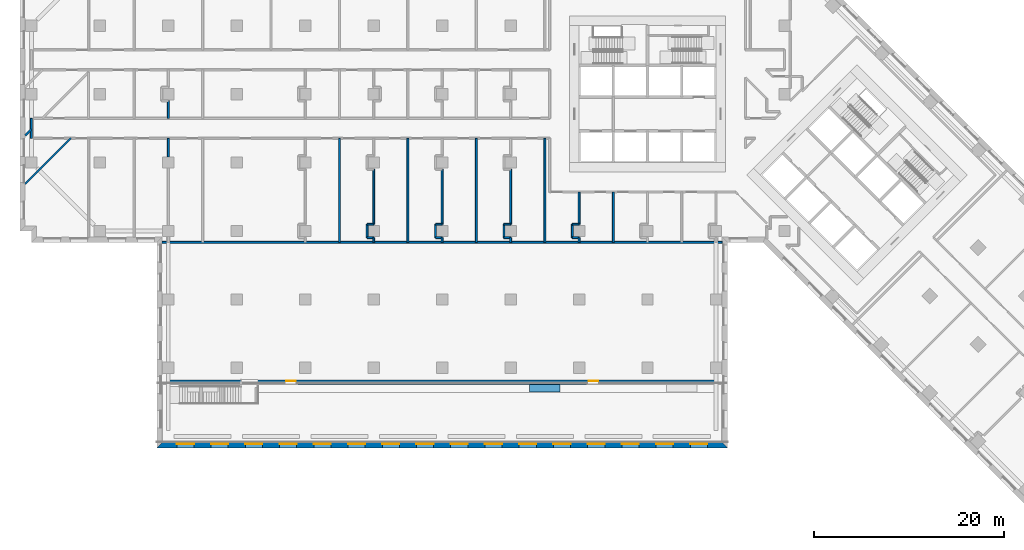
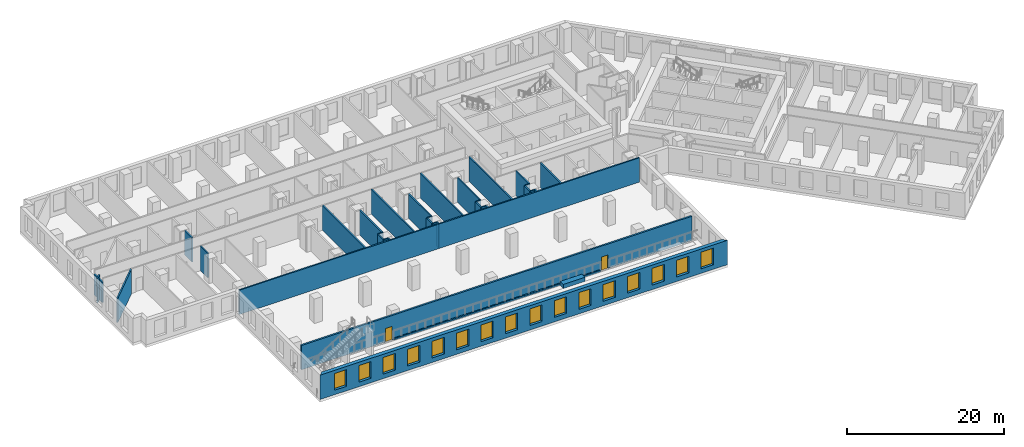
# One storey, part 3 of 14: 35 walls, 16 windows, 2 doors, 18 openings.
"""IFC4 building model written with IfcOpenShell, lengths in metres."""

from ifc_helpers import new_model, si_unit, direction, frame, frame_2d, origin, place, context, subcontext, project, spatial, polyline, rectangle, outline, extrude, material, layer, layer_set, type_object, element, fill, save


model = new_model("IFC4")

# Units and contexts
model_context = context("Model", 3, precision=1e-05, world=origin(), true_north=direction((0.0, 1.0)))
body_context = subcontext(model_context, "Body", "Model", "MODEL_VIEW")
ifc_project = project(units=[si_unit("LENGTHUNIT", "METRE"), si_unit("AREAUNIT", "SQUARE_METRE"), si_unit("VOLUMEUNIT", "CUBIC_METRE"), si_unit("PLANEANGLEUNIT", "RADIAN"), si_unit("MASSUNIT", "GRAM", prefix="KILO")], contexts=[model_context])

# Site, building, storey
site_placement = place(None, origin())
site = spatial("IfcSite", under=ifc_project, at=site_placement, CompositionType="ELEMENT")
building_placement = place(site_placement, origin())
building = spatial("IfcBuilding", under=site, at=building_placement, Name="Windrow Commons", CompositionType="ELEMENT")
storey_placement = place(building_placement, frame((0.0, 0.0, 10.2)))
storey = spatial("IfcBuildingStorey", under=building, at=storey_placement, Name="L02", CompositionType="ELEMENT", Elevation=10.2)

# Wall, openings, windows
ifc_material_1 = material(Name="Brick masonry, red clay brick", Category="masonry")
ifc_layer_1 = layer(ifc_material_1, 0.55)
ifc_layer_set_1 = layer_set([ifc_layer_1], Name="Brick facade wall 550")
wall_type_1 = type_object("IfcWallType", Name="Brick facade wall 550", PredefinedType="SOLIDWALL", material=ifc_layer_set_1)
wall_1_placement = place(storey_placement, frame((13.475, 20.675, 0.0), z_axis=(0.0, 0.0, 1.0), x_axis=(1.0, 0.0, 0.0)))
wall_1 = element("IfcWall", 1, at=wall_1_placement, inside=storey, type_object=wall_type_1, Name="Brick facade wall L02 13", PredefinedType="SOLIDWALL", context=body_context, shape_type="SweptSolid", body=[
    extrude(outline(polyline([(-0.275, -0.275), (59.725, -0.275), (59.175, 0.275), (0.275, 0.275), (-0.275, -0.275)])), origin(), (0.0, 0.0, 1.0), 3.8),
])
opening_1_placement = place(wall_1_placement, frame((1.825, 0.0, 0.7)))
opening_1 = element("IfcOpeningElement", 2, at=opening_1_placement, cuts=wall_1, Name="Opening W2", PredefinedType="OPENING", context=body_context, shape_type="SweptSolid", body=[
    extrude(rectangle(XDim=1.8, YDim=2.6, at=frame_2d((0.9, 1.3))), frame((0.0, 0.285, 0.0), z_axis=(0.0, -1.0, 0.0), x_axis=(1.0, 0.0, 0.0)), (0.0, 0.0, 1.0), 0.57),
])
opening_2_placement = place(wall_1_placement, frame((5.425, 0.0, 0.7)))
opening_2 = element("IfcOpeningElement", 3, at=opening_2_placement, cuts=wall_1, Name="Opening W2", PredefinedType="OPENING", context=body_context, shape_type="SweptSolid", body=[
    extrude(rectangle(XDim=1.8, YDim=2.6, at=frame_2d((0.9, 1.3))), frame((0.0, 0.285, 0.0), z_axis=(0.0, -1.0, 0.0), x_axis=(1.0, 0.0, 0.0)), (0.0, 0.0, 1.0), 0.57),
])
opening_3_placement = place(wall_1_placement, frame((9.025, 0.0, 0.7)))
opening_3 = element("IfcOpeningElement", 4, at=opening_3_placement, cuts=wall_1, Name="Opening W2", PredefinedType="OPENING", context=body_context, shape_type="SweptSolid", body=[
    extrude(rectangle(XDim=1.8, YDim=2.6, at=frame_2d((0.9, 1.3))), frame((0.0, 0.285, 0.0), z_axis=(0.0, -1.0, 0.0), x_axis=(1.0, 0.0, 0.0)), (0.0, 0.0, 1.0), 0.57),
])
opening_4_placement = place(wall_1_placement, frame((12.625, 0.0, 0.7)))
opening_4 = element("IfcOpeningElement", 5, at=opening_4_placement, cuts=wall_1, Name="Opening W2", PredefinedType="OPENING", context=body_context, shape_type="SweptSolid", body=[
    extrude(rectangle(XDim=1.8, YDim=2.6, at=frame_2d((0.9, 1.3))), frame((0.0, 0.285, 0.0), z_axis=(0.0, -1.0, 0.0), x_axis=(1.0, 0.0, 0.0)), (0.0, 0.0, 1.0), 0.57),
])
opening_5_placement = place(wall_1_placement, frame((16.225, 0.0, 0.7)))
opening_5 = element("IfcOpeningElement", 6, at=opening_5_placement, cuts=wall_1, Name="Opening W2", PredefinedType="OPENING", context=body_context, shape_type="SweptSolid", body=[
    extrude(rectangle(XDim=1.8, YDim=2.6, at=frame_2d((0.9, 1.3))), frame((0.0, 0.285, 0.0), z_axis=(0.0, -1.0, 0.0), x_axis=(1.0, 0.0, 0.0)), (0.0, 0.0, 1.0), 0.57),
])
opening_6_placement = place(wall_1_placement, frame((19.825, 0.0, 0.7)))
opening_6 = element("IfcOpeningElement", 7, at=opening_6_placement, cuts=wall_1, Name="Opening W2", PredefinedType="OPENING", context=body_context, shape_type="SweptSolid", body=[
    extrude(rectangle(XDim=1.8, YDim=2.6, at=frame_2d((0.9, 1.3))), frame((0.0, 0.285, 0.0), z_axis=(0.0, -1.0, 0.0), x_axis=(1.0, 0.0, 0.0)), (0.0, 0.0, 1.0), 0.57),
])
opening_7_placement = place(wall_1_placement, frame((23.425, 0.0, 0.7)))
opening_7 = element("IfcOpeningElement", 8, at=opening_7_placement, cuts=wall_1, Name="Opening W2", PredefinedType="OPENING", context=body_context, shape_type="SweptSolid", body=[
    extrude(rectangle(XDim=1.8, YDim=2.6, at=frame_2d((0.9, 1.3))), frame((0.0, 0.285, 0.0), z_axis=(0.0, -1.0, 0.0), x_axis=(1.0, 0.0, 0.0)), (0.0, 0.0, 1.0), 0.57),
])
opening_8_placement = place(wall_1_placement, frame((27.025, 0.0, 0.7)))
opening_8 = element("IfcOpeningElement", 9, at=opening_8_placement, cuts=wall_1, Name="Opening W2", PredefinedType="OPENING", context=body_context, shape_type="SweptSolid", body=[
    extrude(rectangle(XDim=1.8, YDim=2.6, at=frame_2d((0.9, 1.3))), frame((0.0, 0.285, 0.0), z_axis=(0.0, -1.0, 0.0), x_axis=(1.0, 0.0, 0.0)), (0.0, 0.0, 1.0), 0.57),
])
opening_9_placement = place(wall_1_placement, frame((30.625, 0.0, 0.7)))
opening_9 = element("IfcOpeningElement", 10, at=opening_9_placement, cuts=wall_1, Name="Opening W2", PredefinedType="OPENING", context=body_context, shape_type="SweptSolid", body=[
    extrude(rectangle(XDim=1.8, YDim=2.6, at=frame_2d((0.9, 1.3))), frame((0.0, 0.285, 0.0), z_axis=(0.0, -1.0, 0.0), x_axis=(1.0, 0.0, 0.0)), (0.0, 0.0, 1.0), 0.57),
])
opening_10_placement = place(wall_1_placement, frame((34.225, 0.0, 0.7)))
opening_10 = element("IfcOpeningElement", 11, at=opening_10_placement, cuts=wall_1, Name="Opening W2", PredefinedType="OPENING", context=body_context, shape_type="SweptSolid", body=[
    extrude(rectangle(XDim=1.8, YDim=2.6, at=frame_2d((0.9, 1.3))), frame((0.0, 0.285, 0.0), z_axis=(0.0, -1.0, 0.0), x_axis=(1.0, 0.0, 0.0)), (0.0, 0.0, 1.0), 0.57),
])
opening_11_placement = place(wall_1_placement, frame((37.825, 0.0, 0.7)))
opening_11 = element("IfcOpeningElement", 12, at=opening_11_placement, cuts=wall_1, Name="Opening W2", PredefinedType="OPENING", context=body_context, shape_type="SweptSolid", body=[
    extrude(rectangle(XDim=1.8, YDim=2.6, at=frame_2d((0.9, 1.3))), frame((0.0, 0.285, 0.0), z_axis=(0.0, -1.0, 0.0), x_axis=(1.0, 0.0, 0.0)), (0.0, 0.0, 1.0), 0.57),
])
opening_12_placement = place(wall_1_placement, frame((41.425, 0.0, 0.7)))
opening_12 = element("IfcOpeningElement", 13, at=opening_12_placement, cuts=wall_1, Name="Opening W2", PredefinedType="OPENING", context=body_context, shape_type="SweptSolid", body=[
    extrude(rectangle(XDim=1.8, YDim=2.6, at=frame_2d((0.9, 1.3))), frame((0.0, 0.285, 0.0), z_axis=(0.0, -1.0, 0.0), x_axis=(1.0, 0.0, 0.0)), (0.0, 0.0, 1.0), 0.57),
])
opening_13_placement = place(wall_1_placement, frame((45.025, 0.0, 0.7)))
opening_13 = element("IfcOpeningElement", 14, at=opening_13_placement, cuts=wall_1, Name="Opening W2", PredefinedType="OPENING", context=body_context, shape_type="SweptSolid", body=[
    extrude(rectangle(XDim=1.8, YDim=2.6, at=frame_2d((0.9, 1.3))), frame((0.0, 0.285, 0.0), z_axis=(0.0, -1.0, 0.0), x_axis=(1.0, 0.0, 0.0)), (0.0, 0.0, 1.0), 0.57),
])
opening_14_placement = place(wall_1_placement, frame((48.625, 0.0, 0.7)))
opening_14 = element("IfcOpeningElement", 15, at=opening_14_placement, cuts=wall_1, Name="Opening W2", PredefinedType="OPENING", context=body_context, shape_type="SweptSolid", body=[
    extrude(rectangle(XDim=1.8, YDim=2.6, at=frame_2d((0.9, 1.3))), frame((0.0, 0.285, 0.0), z_axis=(0.0, -1.0, 0.0), x_axis=(1.0, 0.0, 0.0)), (0.0, 0.0, 1.0), 0.57),
])
opening_15_placement = place(wall_1_placement, frame((52.225, 0.0, 0.7)))
opening_15 = element("IfcOpeningElement", 16, at=opening_15_placement, cuts=wall_1, Name="Opening W2", PredefinedType="OPENING", context=body_context, shape_type="SweptSolid", body=[
    extrude(rectangle(XDim=1.8, YDim=2.6, at=frame_2d((0.9, 1.3))), frame((0.0, 0.285, 0.0), z_axis=(0.0, -1.0, 0.0), x_axis=(1.0, 0.0, 0.0)), (0.0, 0.0, 1.0), 0.57),
])
opening_16_placement = place(wall_1_placement, frame((55.825, 0.0, 0.7)))
opening_16 = element("IfcOpeningElement", 17, at=opening_16_placement, cuts=wall_1, Name="Opening W2", PredefinedType="OPENING", context=body_context, shape_type="SweptSolid", body=[
    extrude(rectangle(XDim=1.8, YDim=2.6, at=frame_2d((0.9, 1.3))), frame((0.0, 0.285, 0.0), z_axis=(0.0, -1.0, 0.0), x_axis=(1.0, 0.0, 0.0)), (0.0, 0.0, 1.0), 0.57),
])
ifc_material_2 = material(Name="Clear float glass in anodised aluminium frame", Category="aluminium")
window_type = type_object("IfcWindowType", Name="Window W2 podium 1800x2600", PartitioningType="SINGLE_PANEL", PredefinedType="WINDOW", material=ifc_material_2)
window_1_placement = place(opening_1_placement, origin())
window_1 = element("IfcWindow", 18, at=window_1_placement, inside=storey, type_object=window_type, Name="Window L02 13.1", OverallHeight=2.6, OverallWidth=1.8, PartitioningType="SINGLE_PANEL", PredefinedType="WINDOW", context=body_context, shape_type="SweptSolid", body=[
    extrude(rectangle(XDim=1.8, YDim=2.6, at=frame_2d((0.9, 1.3))), frame((0.0, 0.155, 0.0), z_axis=(0.0, -1.0, 0.0), x_axis=(1.0, 0.0, 0.0)), (0.0, 0.0, 1.0), 0.06),
])
fill(opening_1, window_1)
window_2_placement = place(opening_2_placement, origin())
window_2 = element("IfcWindow", 19, at=window_2_placement, inside=storey, type_object=window_type, Name="Window L02 13.2", OverallHeight=2.6, OverallWidth=1.8, PartitioningType="SINGLE_PANEL", PredefinedType="WINDOW", context=body_context, shape_type="SweptSolid", body=[
    extrude(rectangle(XDim=1.8, YDim=2.6, at=frame_2d((0.9, 1.3))), frame((0.0, 0.155, 0.0), z_axis=(0.0, -1.0, 0.0), x_axis=(1.0, 0.0, 0.0)), (0.0, 0.0, 1.0), 0.06),
])
fill(opening_2, window_2)
window_3_placement = place(opening_3_placement, origin())
window_3 = element("IfcWindow", 20, at=window_3_placement, inside=storey, type_object=window_type, Name="Window L02 13.3", OverallHeight=2.6, OverallWidth=1.8, PartitioningType="SINGLE_PANEL", PredefinedType="WINDOW", context=body_context, shape_type="SweptSolid", body=[
    extrude(rectangle(XDim=1.8, YDim=2.6, at=frame_2d((0.9, 1.3))), frame((0.0, 0.155, 0.0), z_axis=(0.0, -1.0, 0.0), x_axis=(1.0, 0.0, 0.0)), (0.0, 0.0, 1.0), 0.06),
])
fill(opening_3, window_3)
window_4_placement = place(opening_4_placement, origin())
window_4 = element("IfcWindow", 21, at=window_4_placement, inside=storey, type_object=window_type, Name="Window L02 13.4", OverallHeight=2.6, OverallWidth=1.8, PartitioningType="SINGLE_PANEL", PredefinedType="WINDOW", context=body_context, shape_type="SweptSolid", body=[
    extrude(rectangle(XDim=1.8, YDim=2.6, at=frame_2d((0.9, 1.3))), frame((0.0, 0.155, 0.0), z_axis=(0.0, -1.0, 0.0), x_axis=(1.0, 0.0, 0.0)), (0.0, 0.0, 1.0), 0.06),
])
fill(opening_4, window_4)
window_5_placement = place(opening_5_placement, origin())
window_5 = element("IfcWindow", 22, at=window_5_placement, inside=storey, type_object=window_type, Name="Window L02 13.5", OverallHeight=2.6, OverallWidth=1.8, PartitioningType="SINGLE_PANEL", PredefinedType="WINDOW", context=body_context, shape_type="SweptSolid", body=[
    extrude(rectangle(XDim=1.8, YDim=2.6, at=frame_2d((0.9, 1.3))), frame((0.0, 0.155, 0.0), z_axis=(0.0, -1.0, 0.0), x_axis=(1.0, 0.0, 0.0)), (0.0, 0.0, 1.0), 0.06),
])
fill(opening_5, window_5)
window_6_placement = place(opening_6_placement, origin())
window_6 = element("IfcWindow", 23, at=window_6_placement, inside=storey, type_object=window_type, Name="Window L02 13.6", OverallHeight=2.6, OverallWidth=1.8, PartitioningType="SINGLE_PANEL", PredefinedType="WINDOW", context=body_context, shape_type="SweptSolid", body=[
    extrude(rectangle(XDim=1.8, YDim=2.6, at=frame_2d((0.9, 1.3))), frame((0.0, 0.155, 0.0), z_axis=(0.0, -1.0, 0.0), x_axis=(1.0, 0.0, 0.0)), (0.0, 0.0, 1.0), 0.06),
])
fill(opening_6, window_6)
window_7_placement = place(opening_7_placement, origin())
window_7 = element("IfcWindow", 24, at=window_7_placement, inside=storey, type_object=window_type, Name="Window L02 13.7", OverallHeight=2.6, OverallWidth=1.8, PartitioningType="SINGLE_PANEL", PredefinedType="WINDOW", context=body_context, shape_type="SweptSolid", body=[
    extrude(rectangle(XDim=1.8, YDim=2.6, at=frame_2d((0.9, 1.3))), frame((0.0, 0.155, 0.0), z_axis=(0.0, -1.0, 0.0), x_axis=(1.0, 0.0, 0.0)), (0.0, 0.0, 1.0), 0.06),
])
fill(opening_7, window_7)
window_8_placement = place(opening_8_placement, origin())
window_8 = element("IfcWindow", 25, at=window_8_placement, inside=storey, type_object=window_type, Name="Window L02 13.8", OverallHeight=2.6, OverallWidth=1.8, PartitioningType="SINGLE_PANEL", PredefinedType="WINDOW", context=body_context, shape_type="SweptSolid", body=[
    extrude(rectangle(XDim=1.8, YDim=2.6, at=frame_2d((0.9, 1.3))), frame((0.0, 0.155, 0.0), z_axis=(0.0, -1.0, 0.0), x_axis=(1.0, 0.0, 0.0)), (0.0, 0.0, 1.0), 0.06),
])
fill(opening_8, window_8)
window_9_placement = place(opening_9_placement, origin())
window_9 = element("IfcWindow", 26, at=window_9_placement, inside=storey, type_object=window_type, Name="Window L02 13.9", OverallHeight=2.6, OverallWidth=1.8, PartitioningType="SINGLE_PANEL", PredefinedType="WINDOW", context=body_context, shape_type="SweptSolid", body=[
    extrude(rectangle(XDim=1.8, YDim=2.6, at=frame_2d((0.9, 1.3))), frame((0.0, 0.155, 0.0), z_axis=(0.0, -1.0, 0.0), x_axis=(1.0, 0.0, 0.0)), (0.0, 0.0, 1.0), 0.06),
])
fill(opening_9, window_9)
window_10_placement = place(opening_10_placement, origin())
window_10 = element("IfcWindow", 27, at=window_10_placement, inside=storey, type_object=window_type, Name="Window L02 13.10", OverallHeight=2.6, OverallWidth=1.8, PartitioningType="SINGLE_PANEL", PredefinedType="WINDOW", context=body_context, shape_type="SweptSolid", body=[
    extrude(rectangle(XDim=1.8, YDim=2.6, at=frame_2d((0.9, 1.3))), frame((0.0, 0.155, 0.0), z_axis=(0.0, -1.0, 0.0), x_axis=(1.0, 0.0, 0.0)), (0.0, 0.0, 1.0), 0.06),
])
fill(opening_10, window_10)
window_11_placement = place(opening_11_placement, origin())
window_11 = element("IfcWindow", 28, at=window_11_placement, inside=storey, type_object=window_type, Name="Window L02 13.11", OverallHeight=2.6, OverallWidth=1.8, PartitioningType="SINGLE_PANEL", PredefinedType="WINDOW", context=body_context, shape_type="SweptSolid", body=[
    extrude(rectangle(XDim=1.8, YDim=2.6, at=frame_2d((0.9, 1.3))), frame((0.0, 0.155, 0.0), z_axis=(0.0, -1.0, 0.0), x_axis=(1.0, 0.0, 0.0)), (0.0, 0.0, 1.0), 0.06),
])
fill(opening_11, window_11)
window_12_placement = place(opening_12_placement, origin())
window_12 = element("IfcWindow", 29, at=window_12_placement, inside=storey, type_object=window_type, Name="Window L02 13.12", OverallHeight=2.6, OverallWidth=1.8, PartitioningType="SINGLE_PANEL", PredefinedType="WINDOW", context=body_context, shape_type="SweptSolid", body=[
    extrude(rectangle(XDim=1.8, YDim=2.6, at=frame_2d((0.9, 1.3))), frame((0.0, 0.155, 0.0), z_axis=(0.0, -1.0, 0.0), x_axis=(1.0, 0.0, 0.0)), (0.0, 0.0, 1.0), 0.06),
])
fill(opening_12, window_12)
window_13_placement = place(opening_13_placement, origin())
window_13 = element("IfcWindow", 30, at=window_13_placement, inside=storey, type_object=window_type, Name="Window L02 13.13", OverallHeight=2.6, OverallWidth=1.8, PartitioningType="SINGLE_PANEL", PredefinedType="WINDOW", context=body_context, shape_type="SweptSolid", body=[
    extrude(rectangle(XDim=1.8, YDim=2.6, at=frame_2d((0.9, 1.3))), frame((0.0, 0.155, 0.0), z_axis=(0.0, -1.0, 0.0), x_axis=(1.0, 0.0, 0.0)), (0.0, 0.0, 1.0), 0.06),
])
fill(opening_13, window_13)
window_14_placement = place(opening_14_placement, origin())
window_14 = element("IfcWindow", 31, at=window_14_placement, inside=storey, type_object=window_type, Name="Window L02 13.14", OverallHeight=2.6, OverallWidth=1.8, PartitioningType="SINGLE_PANEL", PredefinedType="WINDOW", context=body_context, shape_type="SweptSolid", body=[
    extrude(rectangle(XDim=1.8, YDim=2.6, at=frame_2d((0.9, 1.3))), frame((0.0, 0.155, 0.0), z_axis=(0.0, -1.0, 0.0), x_axis=(1.0, 0.0, 0.0)), (0.0, 0.0, 1.0), 0.06),
])
fill(opening_14, window_14)
window_15_placement = place(opening_15_placement, origin())
window_15 = element("IfcWindow", 32, at=window_15_placement, inside=storey, type_object=window_type, Name="Window L02 13.15", OverallHeight=2.6, OverallWidth=1.8, PartitioningType="SINGLE_PANEL", PredefinedType="WINDOW", context=body_context, shape_type="SweptSolid", body=[
    extrude(rectangle(XDim=1.8, YDim=2.6, at=frame_2d((0.9, 1.3))), frame((0.0, 0.155, 0.0), z_axis=(0.0, -1.0, 0.0), x_axis=(1.0, 0.0, 0.0)), (0.0, 0.0, 1.0), 0.06),
])
fill(opening_15, window_15)
window_16_placement = place(opening_16_placement, origin())
window_16 = element("IfcWindow", 33, at=window_16_placement, inside=storey, type_object=window_type, Name="Window L02 13.16", OverallHeight=2.6, OverallWidth=1.8, PartitioningType="SINGLE_PANEL", PredefinedType="WINDOW", context=body_context, shape_type="SweptSolid", body=[
    extrude(rectangle(XDim=1.8, YDim=2.6, at=frame_2d((0.9, 1.3))), frame((0.0, 0.155, 0.0), z_axis=(0.0, -1.0, 0.0), x_axis=(1.0, 0.0, 0.0)), (0.0, 0.0, 1.0), 0.06),
])
fill(opening_16, window_16)

# Walls
ifc_material_3 = material(Name="Blockwork partition", Category="masonry")
ifc_layer_2 = layer(ifc_material_3, 0.2)
ifc_layer_set_2 = layer_set([ifc_layer_2], Name="IW-CORRIDOR-200")
wall_type_2 = type_object("IfcWallType", Name="IW-CORRIDOR-200", PredefinedType="PARTITIONING", material=ifc_layer_set_2)
wall_2_placement = place(storey_placement, frame((0.0, 52.95, 0.0), z_axis=(0.0, 0.0, 1.0), x_axis=(0.0, 1.0, 0.0)))
element("IfcWall", 34, at=wall_2_placement, inside=storey, type_object=wall_type_2, Name="W-L02-W080", PredefinedType="PARTITIONING", context=body_context, shape_type="SweptSolid", body=[
    extrude(rectangle(XDim=2.1, YDim=0.2, at=frame_2d((1.05, 0.0))), origin(), (0.0, 0.0, 1.0), 3.2),
])
ifc_material_4 = material(Name="Blockwork partition", Category="masonry")
ifc_layer_3 = layer(ifc_material_4, 0.2)
ifc_layer_set_3 = layer_set([ifc_layer_3], Name="IW-PARTY-200")
wall_type_3 = type_object("IfcWallType", Name="IW-PARTY-200", PredefinedType="PARTITIONING", material=ifc_layer_set_3)
wall_3_placement = place(storey_placement, frame((13.75, 42.0, 0.0), z_axis=(0.0, 0.0, 1.0), x_axis=(1.0, 0.0, 0.0)))
element("IfcWall", 35, at=wall_3_placement, inside=storey, type_object=wall_type_3, Name="W-L02-W000", PredefinedType="PARTITIONING", context=body_context, shape_type="SweptSolid", body=[
    extrude(rectangle(XDim=58.9, YDim=0.2, at=frame_2d((29.45, 0.0))), origin(), (0.0, 0.0, 1.0), 3.8),
])
for number, where, z_axis, x_axis, name in (
    (36, (32.4, 42.0, 0.0), (0.0, 0.0, 1.0), (0.0, 1.0, 0.0), "W-L02-W010"),
    (37, (39.6, 42.0, 0.0), (0.0, 0.0, 1.0), (0.0, 1.0, 0.0), "W-L02-W011"),
    (38, (46.8, 42.0, 0.0), (0.0, 0.0, 1.0), (0.0, 1.0, 0.0), "W-L02-W012"),
    (39, (54.0, 42.0, 0.0), (0.0, 0.0, 1.0), (0.0, 1.0, 0.0), "W-L02-W013"),
):
    element("IfcWall", number, at=place(storey_placement, frame(where, z_axis=z_axis, x_axis=x_axis)), inside=storey, type_object=wall_type_3, Name=name, PredefinedType="PARTITIONING", context=body_context, shape_type="SweptSolid", body=[
        extrude(rectangle(XDim=10.95, YDim=0.2, at=frame_2d((5.475, 0.0))), origin(), (0.0, 0.0, 1.0), 3.8),
    ])
wall_4_placement = place(storey_placement, frame((-0.65, 48.1545, 0.0), z_axis=(0.0, 0.0, 1.0), x_axis=(0.7070994105, 0.7071141518, 0.0)))
element("IfcWall", 40, at=wall_4_placement, inside=storey, type_object=wall_type_3, Name="W-L02-W035", PredefinedType="PARTITIONING", context=body_context, shape_type="SweptSolid", body=[
    extrude(rectangle(XDim=6.7836, YDim=0.2, at=frame_2d((3.3918, 0.0))), origin(), (0.0, 0.0, 1.0), 3.8),
])
for number, where, z_axis, x_axis, name in (
    (41, (36.0, 43.906, 0.0), (0.0, 0.0, 1.0), (0.0, 1.0, 0.0), "W-L02-W042"),
    (42, (43.2, 43.906, 0.0), (0.0, 0.0, 1.0), (0.0, 1.0, 0.0), "W-L02-W043"),
    (43, (50.4, 43.906, 0.0), (0.0, 0.0, 1.0), (0.0, 1.0, 0.0), "W-L02-W044"),
):
    element("IfcWall", number, at=place(storey_placement, frame(where, z_axis=z_axis, x_axis=x_axis)), inside=storey, type_object=wall_type_3, Name=name, PredefinedType="PARTITIONING", context=body_context, shape_type="SweptSolid", body=[
        extrude(rectangle(XDim=5.788, YDim=0.2, at=frame_2d((2.894, 0.0))), origin(), (0.0, 0.0, 1.0), 3.8),
    ])
wall_5_placement = place(storey_placement, frame((61.2, 42.0, 0.0), z_axis=(0.0, 0.0, 1.0), x_axis=(0.0, 1.0, 0.0)))
element("IfcWall", 44, at=wall_5_placement, inside=storey, type_object=wall_type_3, Name="W-L02-W052", PredefinedType="PARTITIONING", context=body_context, shape_type="SweptSolid", body=[
    extrude(rectangle(XDim=5.3, YDim=0.2, at=frame_2d((2.65, 0.0))), origin(), (0.0, 0.0, 1.0), 3.8),
])
wall_6_placement = place(storey_placement, frame((57.6, 43.906, 0.0), z_axis=(0.0, 0.0, 1.0), x_axis=(0.0, 1.0, 0.0)))
element("IfcWall", 45, at=wall_6_placement, inside=storey, type_object=wall_type_3, Name="W-L02-W068", PredefinedType="PARTITIONING", context=body_context, shape_type="SweptSolid", body=[
    extrude(rectangle(XDim=3.394, YDim=0.2, at=frame_2d((1.697, 0.0))), origin(), (0.0, 0.0, 1.0), 3.8),
])
wall_7_placement = place(storey_placement, frame((14.4, 51.0, 0.0), z_axis=(0.0, 0.0, 1.0), x_axis=(0.0, 1.0, 0.0)))
element("IfcWall", 46, at=wall_7_placement, inside=storey, type_object=wall_type_3, Name="W-L02-W083", PredefinedType="PARTITIONING", context=body_context, shape_type="SweptSolid", body=[
    extrude(rectangle(XDim=1.95, YDim=0.2, at=frame_2d((0.975, 0.0))), origin(), (0.0, 0.0, 1.0), 3.8),
])
wall_8_placement = place(storey_placement, frame((14.4, 55.05, 0.0), z_axis=(0.0, 0.0, 1.0), x_axis=(0.0, 1.0, 0.0)))
element("IfcWall", 47, at=wall_8_placement, inside=storey, type_object=wall_type_3, Name="W-L02-W085", PredefinedType="PARTITIONING", context=body_context, shape_type="SweptSolid", body=[
    extrude(rectangle(XDim=1.844, YDim=0.2, at=frame_2d((0.922, 0.0))), origin(), (0.0, 0.0, 1.0), 3.8),
])
for number, where, z_axis, x_axis, name in (
    (48, (35.3, 42.496, 0.0), (0.0, 0.0, 1.0), (0.0, 1.0, 0.0), "W-L02-W117"),
    (49, (42.5, 42.496, 0.0), (0.0, 0.0, 1.0), (0.0, 1.0, 0.0), "W-L02-W118"),
    (50, (49.7, 42.496, 0.0), (0.0, 0.0, 1.0), (0.0, 1.0, 0.0), "W-L02-W119"),
    (51, (56.9, 42.496, 0.0), (0.0, 0.0, 1.0), (0.0, 1.0, 0.0), "W-L02-W120"),
):
    element("IfcWall", number, at=place(storey_placement, frame(where, z_axis=z_axis, x_axis=x_axis)), inside=storey, type_object=wall_type_3, Name=name, PredefinedType="PARTITIONING", context=body_context, shape_type="SweptSolid", body=[
        extrude(rectangle(XDim=1.41, YDim=0.2, at=frame_2d((0.705, 0.0))), origin(), (0.0, 0.0, 1.0), 3.8),
    ])
wall_9_placement = place(storey_placement, frame((-0.65, 53.2457, 0.0), z_axis=(0.0, 0.0, 1.0), x_axis=(0.7071612431, 0.707052315, 0.0)))
element("IfcWall", 52, at=wall_9_placement, inside=storey, type_object=wall_type_3, Name="W-L02-W136", PredefinedType="PARTITIONING", context=body_context, shape_type="SweptSolid", body=[
    extrude(rectangle(XDim=0.918, YDim=0.2, at=frame_2d((0.459, 0.0))), origin(), (0.0, 0.0, 1.0), 3.8),
])
for number, where, z_axis, x_axis, name in (
    (53, (35.3, 43.91, 0.0), (0.0, 0.0, 1.0), (1.0, 0.0, 0.0), "W-L02-W146"),
    (54, (42.5, 43.91, 0.0), (0.0, 0.0, 1.0), (1.0, 0.0, 0.0), "W-L02-W147"),
    (55, (56.9, 43.91, 0.0), (0.0, 0.0, 1.0), (1.0, 0.0, 0.0), "W-L02-W148"),
    (56, (35.3, 42.5, 0.0), (0.0, 0.0, 1.0), (1.0, 0.0, 0.0), "W-L02-W151"),
    (57, (42.5, 42.5, 0.0), (0.0, 0.0, 1.0), (1.0, 0.0, 0.0), "W-L02-W152"),
    (58, (56.9, 42.5, 0.0), (0.0, 0.0, 1.0), (1.0, 0.0, 0.0), "W-L02-W153"),
    (59, (49.7, 43.91, 0.0), (0.0, 0.0, 1.0), (1.0, 0.0, 0.0), "W-L02-W170"),
    (60, (49.7, 42.5, 0.0), (0.0, 0.0, 1.0), (1.0, 0.0, 0.0), "W-L02-W171"),
):
    element("IfcWall", number, at=place(storey_placement, frame(where, z_axis=z_axis, x_axis=x_axis)), inside=storey, type_object=wall_type_3, Name=name, PredefinedType="PARTITIONING", context=body_context, shape_type="SweptSolid", body=[
        extrude(rectangle(XDim=0.7, YDim=0.2, at=frame_2d((0.35, 0.0))), origin(), (0.0, 0.0, 1.0), 3.8),
    ])
for number, where, z_axis, x_axis, name in (
    (61, (36.0, 42.0, 0.0), (0.0, 0.0, 1.0), (0.0, 1.0, 0.0), "W-L02-W181"),
    (62, (43.2, 42.0, 0.0), (0.0, 0.0, 1.0), (0.0, 1.0, 0.0), "W-L02-W182"),
    (63, (50.4, 42.0, 0.0), (0.0, 0.0, 1.0), (0.0, 1.0, 0.0), "W-L02-W183"),
    (64, (57.6, 42.0, 0.0), (0.0, 0.0, 1.0), (0.0, 1.0, 0.0), "W-L02-W184"),
):
    element("IfcWall", number, at=place(storey_placement, frame(where, z_axis=z_axis, x_axis=x_axis)), inside=storey, type_object=wall_type_3, Name=name, PredefinedType="PARTITIONING", context=body_context, shape_type="SweptSolid", body=[
        extrude(rectangle(XDim=0.496, YDim=0.2, at=frame_2d((0.248, 0.0))), origin(), (0.0, 0.0, 1.0), 3.8),
    ])
ifc_material_5 = material(Name="Concrete C30/37 planter wall", Category="concrete")
ifc_layer_4 = layer(ifc_material_5, 0.8)
ifc_layer_set_4 = layer_set([ifc_layer_4], Name="Planter 800x600")
wall_type_4 = type_object("IfcWallType", Name="Planter 800x600", PredefinedType="SOLIDWALL", material=ifc_layer_set_4)
wall_10_placement = place(storey_placement, frame((55.6068, 26.65, 0.0), z_axis=(0.0, 0.0, 1.0), x_axis=(-1.0, 0.0, 0.0)))
element("IfcWall", 65, at=wall_10_placement, inside=storey, type_object=wall_type_4, Name="PLANTER TR-L02-1.1", PredefinedType="SOLIDWALL", context=body_context, shape_type="SweptSolid", body=[
    extrude(outline(polyline([(0.0, -0.4), (3.2136, -0.4), (3.2136, 0.4), (0.0, 0.4), (0.0, -0.4)])), origin(), (0.0, 0.0, 1.0), 0.65),
])

# Wall, openings, doors
ifc_material_6 = material(Name="Facing brick on concrete block", Category="masonry")
ifc_layer_5 = layer(ifc_material_6, 0.25)
ifc_layer_set_5 = layer_set([ifc_layer_5], Name="Terrace back wall 250")
wall_type_5 = type_object("IfcWallType", Name="Terrace back wall 250", PredefinedType="SOLIDWALL", material=ifc_layer_set_5)
wall_11_placement = place(storey_placement, frame((71.925, 27.425, 0.0), z_axis=(0.0, 0.0, 1.0), x_axis=(-1.0, 0.0, 0.0)))
wall_11 = element("IfcWall", 66, at=wall_11_placement, inside=storey, type_object=wall_type_5, Name="Terrace back wall TR-L02-1.1", PredefinedType="SOLIDWALL", context=body_context, shape_type="SweptSolid", body=[
    extrude(rectangle(XDim=57.45, YDim=0.25, at=frame_2d((28.725, 0.0))), origin(), (0.0, 0.0, 1.0), 3.8),
])
opening_17_placement = place(wall_11_placement, frame((12.325, 0.0, 0.0)))
opening_17 = element("IfcOpeningElement", 67, at=opening_17_placement, cuts=wall_11, Name="Opening D12", PredefinedType="OPENING", context=body_context, shape_type="SweptSolid", body=[
    extrude(rectangle(XDim=1.0, YDim=2.1, at=frame_2d((0.5, 1.05))), frame((0.0, 0.135, 0.0), z_axis=(0.0, -1.0, 0.0), x_axis=(1.0, 0.0, 0.0)), (0.0, 0.0, 1.0), 0.27),
])
opening_18_placement = place(wall_11_placement, frame((44.125, 0.0, 0.0)))
opening_18 = element("IfcOpeningElement", 68, at=opening_18_placement, cuts=wall_11, Name="Opening D12", PredefinedType="OPENING", context=body_context, shape_type="SweptSolid", body=[
    extrude(rectangle(XDim=1.0, YDim=2.1, at=frame_2d((0.5, 1.05))), frame((0.0, 0.135, 0.0), z_axis=(0.0, -1.0, 0.0), x_axis=(1.0, 0.0, 0.0)), (0.0, 0.0, 1.0), 0.27),
])
ifc_material_7 = material(Name="Timber door leaf in an aluminium frame", Category="wood")
door_type = type_object("IfcDoorType", Name="Terrace lounge door 1000x2100", OperationType="SINGLE_SWING_LEFT", PredefinedType="DOOR", material=ifc_material_7)
door_1_placement = place(opening_17_placement, origin())
door_1 = element("IfcDoor", 69, at=door_1_placement, inside=storey, type_object=door_type, Name="Terrace lounge door TR-L02-1.1.1", OperationType="SINGLE_SWING_LEFT", OverallHeight=2.1, OverallWidth=1.0, PredefinedType="DOOR", context=body_context, shape_type="SweptSolid", body=[
    extrude(rectangle(XDim=1.0, YDim=2.1, at=frame_2d((0.5, 1.05))), frame((0.0, 0.025, 0.0), z_axis=(0.0, -1.0, 0.0), x_axis=(1.0, 0.0, 0.0)), (0.0, 0.0, 1.0), 0.05),
])
fill(opening_17, door_1)
door_2_placement = place(opening_18_placement, origin())
door_2 = element("IfcDoor", 70, at=door_2_placement, inside=storey, type_object=door_type, Name="Terrace lounge door TR-L02-1.1.2", OperationType="SINGLE_SWING_LEFT", OverallHeight=2.1, OverallWidth=1.0, PredefinedType="DOOR", context=body_context, shape_type="SweptSolid", body=[
    extrude(rectangle(XDim=1.0, YDim=2.1, at=frame_2d((0.5, 1.05))), frame((0.0, 0.025, 0.0), z_axis=(0.0, -1.0, 0.0), x_axis=(1.0, 0.0, 0.0)), (0.0, 0.0, 1.0), 0.05),
])
fill(opening_18, door_2)

# Wall
ifc_material_8 = material(Name="Brick masonry, red clay brick", Category="masonry")
ifc_layer_6 = layer(ifc_material_8, 0.2)
ifc_layer_set_6 = layer_set([ifc_layer_6], Name="Terrace edge parapet 200")
wall_type_6 = type_object("IfcWallType", Name="Terrace edge parapet 200", PredefinedType="PARAPET", material=ifc_layer_set_6)
wall_12_placement = place(storey_placement, frame((58.33, 27.2, 0.0), z_axis=(0.0, 0.0, 1.0), x_axis=(-1.0, 0.0, 0.0)))
element("IfcWall", 71, at=wall_12_placement, inside=storey, type_object=wall_type_6, Name="Terrace parapet TR-L02-1.1.1", PredefinedType="PARAPET", context=body_context, shape_type="SweptSolid", body=[
    extrude(outline(polyline([(0.0, -0.1), (30.26, -0.1), (30.26, 0.1), (0.0, 0.1), (0.0, -0.1)])), origin(), (0.0, 0.0, 1.0), 0.25),
])

save(model, "model.ifc")
